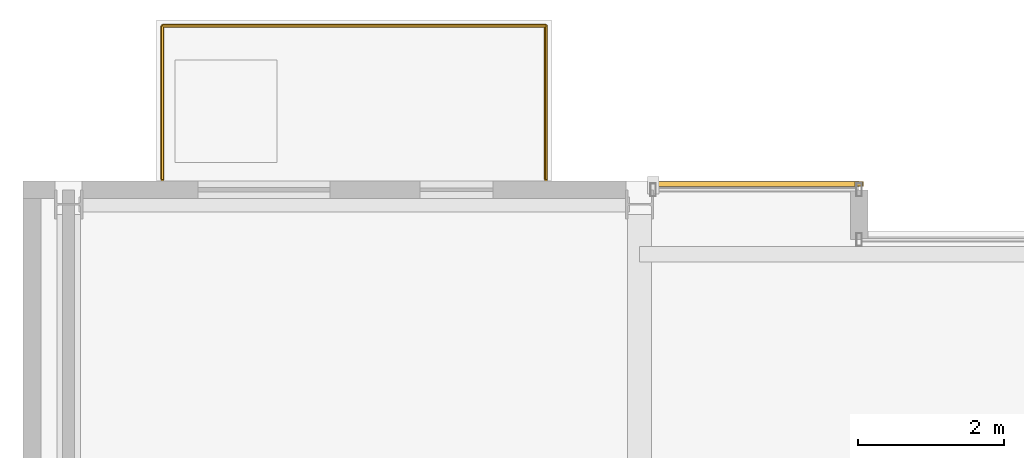
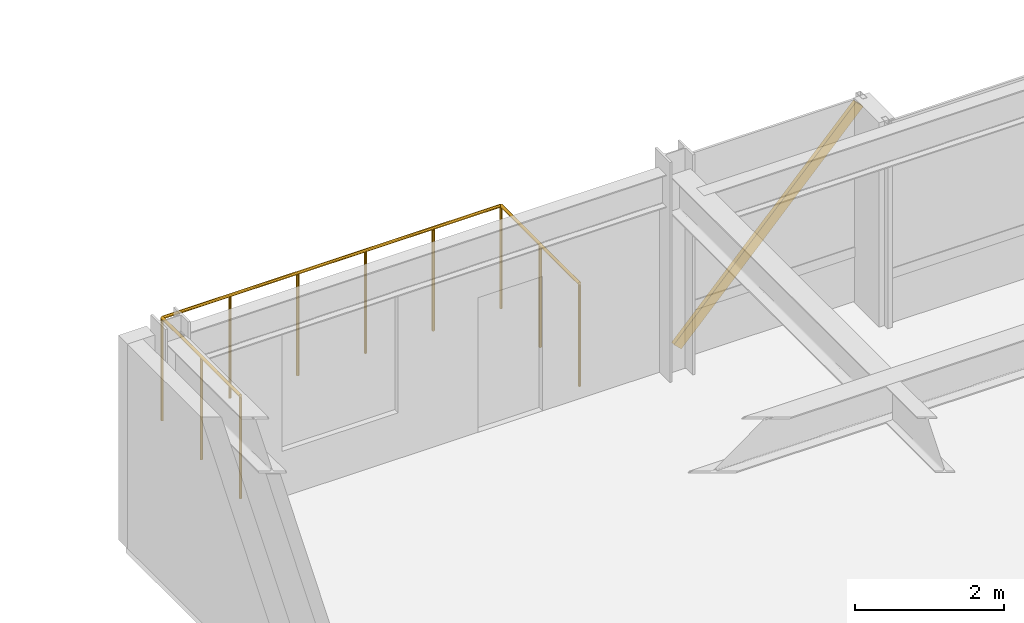
# One storey, part 30 of 30: 1 railing, 1 shading device.
"""IFC4 building model written with IfcOpenShell, lengths in metres."""

from ifc_helpers import new_model, si_unit, direction, frame, origin, origin_2d, place, context, subcontext, project, spatial, hollow_rectangle, circle, extrude, material, material_profile, profile_set, type_object, element, save


model = new_model("IFC4")

# Units and contexts
model_context = context("Model", 3, precision=1e-05, world=origin(), true_north=direction((0.0, 1.0)))
body_context = subcontext(model_context, "Body", "Model", "MODEL_VIEW")
ifc_project = project(units=[si_unit("LENGTHUNIT", "METRE"), si_unit("AREAUNIT", "SQUARE_METRE"), si_unit("VOLUMEUNIT", "CUBIC_METRE"), si_unit("PLANEANGLEUNIT", "RADIAN"), si_unit("MASSUNIT", "GRAM", prefix="KILO")], contexts=[model_context])

# Site, building, storey
site_placement = place(None, origin())
site = spatial("IfcSite", under=ifc_project, at=site_placement, CompositionType="ELEMENT")
building_placement = place(site_placement, origin())
building = spatial("IfcBuilding", under=site, at=building_placement, Name="Drelvath Grand Hotel", CompositionType="ELEMENT")
storey_placement = place(building_placement, frame((0.0, 0.0, 215.89990234375)))
storey = spatial("IfcBuildingStorey", under=building, at=storey_placement, Name="L56", CompositionType="ELEMENT", Elevation=215.89990234375)

# Shading device
ifc_material_1 = material(Name="Platinum-Mist Anodised Aluminium", Category="aluminium")
ifc_material_profile = material_profile(ifc_material_1, hollow_rectangle(XDim=0.06494140625, YDim=0.159912109375, WallThickness=0.00390625, at=origin_2d()), Name="HSS160X65X4")
ifc_profile_set = profile_set([ifc_material_profile], Name="Platinum-Mist Anodised Aluminium")
shading_device_type = type_object("IfcShadingDeviceType", Name="Diagonal Solar Fin Platinum Anodised HSS160X65X4", PredefinedType="USERDEFINED", material=ifc_profile_set)
shading_device_placement = place(storey_placement, frame((-8.214599609375, 49.159912109375, 0.18017578125), z_axis=(0.686658509865, 0.0, 0.726980117218), x_axis=(0.0, 1.0, 0.0)))
element("IfcShadingDevice", 1, at=shading_device_placement, inside=storey, type_object=shading_device_type, Name="L56 Diagonal Anodised Fin CW05-L56-NW3", ObjectType="FIN", PredefinedType="USERDEFINED", context=body_context, shape_type="SweptSolid", body=[
    extrude(hollow_rectangle(XDim=0.06494140625, YDim=0.159912109375, WallThickness=0.00390625, at=origin_2d()), origin(), (0.0, 0.0, 1.0), 4.09912109375),
])

# Railing
ifc_material_2 = material(Name="Anodised Aluminium and Laminated Glass Balustrade", Category="aluminium")
railing_type = type_object("IfcRailingType", Name="Raised Planter Edge Balustrade 1700", PredefinedType="BALUSTRADE", material=ifc_material_2)
railing_placement = place(storey_placement, frame((-14.919921875, 49.219970703125, 0.0)))
element("IfcRailing", 2, at=railing_placement, inside=storey, type_object=railing_type, Name="L56 Tree Balcony Perimeter Balustrade 1", PredefinedType="BALUSTRADE", context=body_context, shape_type="SweptSolid", body=[
    extrude(circle(Radius=0.02392578125, at=origin_2d()), frame((0.0, 0.0, 1.67578125), z_axis=(0.0, 1.0, 0.0), x_axis=(-1.0, 0.0, 0.0)), (0.0, 0.0, 1.0), 2.10009765625),
    extrude(circle(Radius=0.02392578125, at=origin_2d()), frame((0.0, 2.10009765625, 1.67578125), z_axis=(1.0, 0.0, 0.0), x_axis=(0.0, 1.0, 0.0)), (0.0, 0.0, 1.0), 5.239990234375),
    extrude(circle(Radius=0.02392578125, at=origin_2d()), frame((5.239990234375, 2.10009765625, 1.67578125), z_axis=(0.0, -1.0, 0.0), x_axis=(1.0, 0.0, 0.0)), (0.0, 0.0, 1.0), 2.10009765625),
    extrude(circle(Radius=0.02099609375, at=origin_2d()), origin(), (0.0, 0.0, 1.0), 1.65185546875),
    extrude(circle(Radius=0.02099609375, at=origin_2d()), frame((0.0, 1.050048828125, 0.0)), (0.0, 0.0, 1.0), 1.65185546875),
    extrude(circle(Radius=0.02099609375, at=origin_2d()), frame((0.0, 2.10009765625, 0.0)), (0.0, 0.0, 1.0), 1.65185546875),
    extrude(circle(Radius=0.02099609375, at=origin_2d()), frame((1.048095703125, 2.10009765625, 0.0)), (0.0, 0.0, 1.0), 1.65185546875),
    extrude(circle(Radius=0.02099609375, at=origin_2d()), frame((2.095947265625, 2.10009765625, 0.0)), (0.0, 0.0, 1.0), 1.65185546875),
    extrude(circle(Radius=0.02099609375, at=origin_2d()), frame((3.14404296875, 2.10009765625, 0.0)), (0.0, 0.0, 1.0), 1.65185546875),
    extrude(circle(Radius=0.02099609375, at=origin_2d()), frame((4.19189453125, 2.10009765625, 0.0)), (0.0, 0.0, 1.0), 1.65185546875),
    extrude(circle(Radius=0.02099609375, at=origin_2d()), frame((5.239990234375, 2.10009765625, 0.0)), (0.0, 0.0, 1.0), 1.65185546875),
    extrude(circle(Radius=0.02099609375, at=origin_2d()), frame((5.239990234375, 1.050048828125, 0.0)), (0.0, 0.0, 1.0), 1.65185546875),
    extrude(circle(Radius=0.02099609375, at=origin_2d()), frame((5.239990234375, 0.0, 0.0)), (0.0, 0.0, 1.0), 1.65185546875),
])

save(model, "model.ifc")
